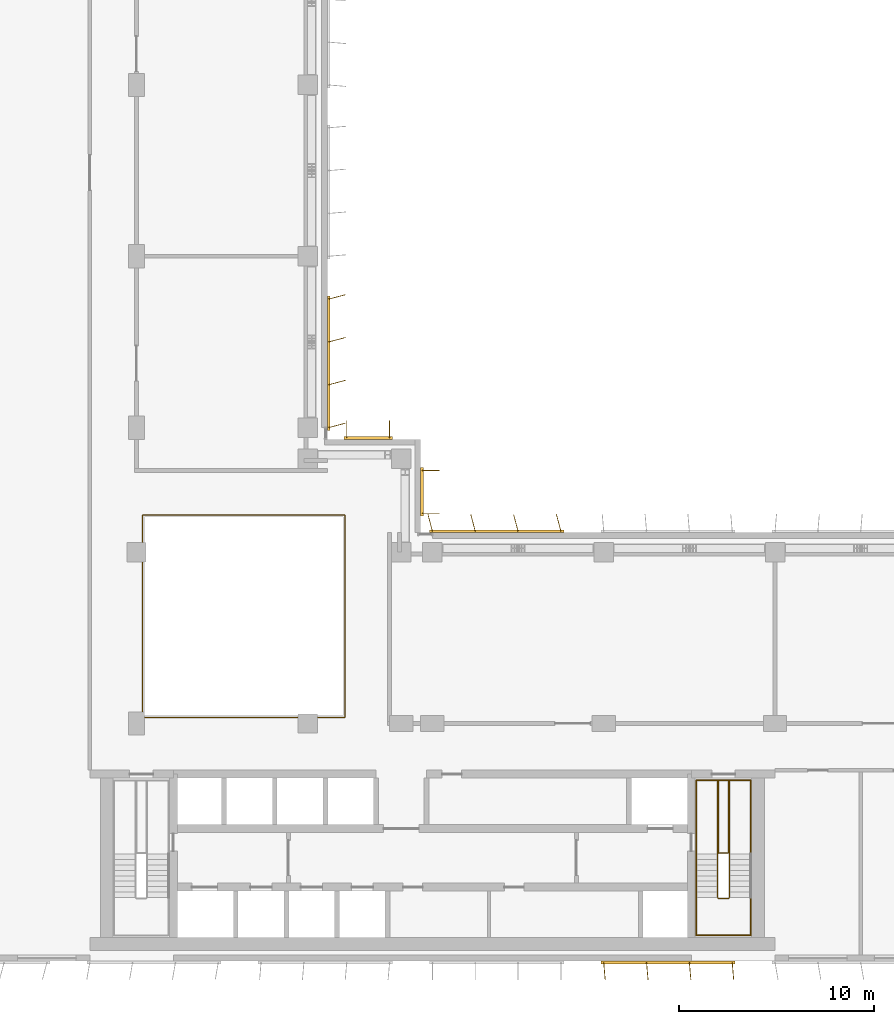
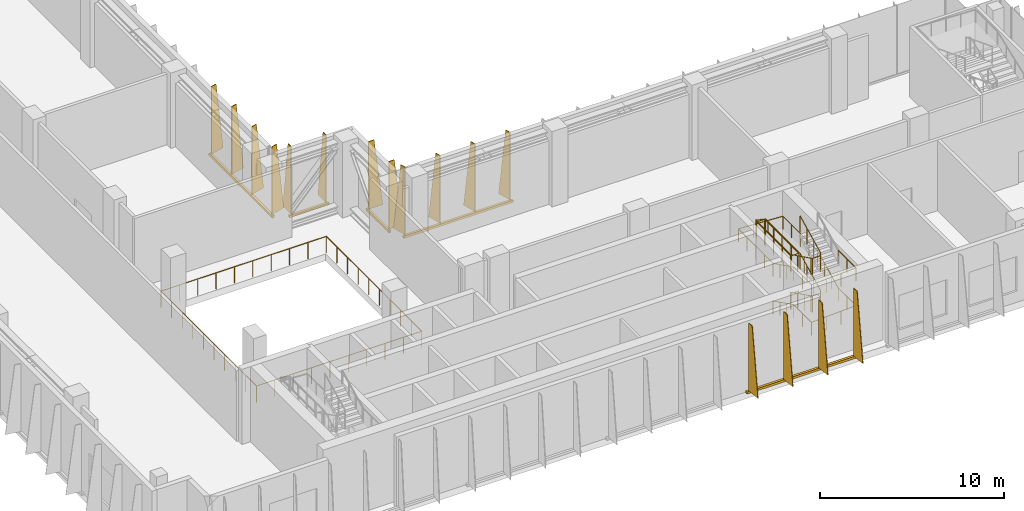
# One storey, part 15 of 17: 5 shading devices, 4 railings.
"""IFC4 building model written with IfcOpenShell, lengths in metres."""

from ifc_helpers import new_model, si_unit, direction, frame, origin, origin_2d, place, context, subcontext, project, spatial, polyline, rectangle, circle, outline, extrude, source, transform, mapped, material, layer, layer_set, type_object, element, save


model = new_model("IFC4")

# Units and contexts
model_context = context("Model", 3, precision=1e-05, world=origin(), true_north=direction((0.0, 1.0)))
body_context = subcontext(model_context, "Body", "Model", "MODEL_VIEW")
ifc_project = project(units=[si_unit("LENGTHUNIT", "METRE"), si_unit("AREAUNIT", "SQUARE_METRE"), si_unit("VOLUMEUNIT", "CUBIC_METRE"), si_unit("PLANEANGLEUNIT", "RADIAN"), si_unit("MASSUNIT", "GRAM", prefix="KILO")], contexts=[model_context])

# Site, building, storey
site_placement = place(None, origin())
site = spatial("IfcSite", under=ifc_project, at=site_placement, CompositionType="ELEMENT")
building_placement = place(site_placement, origin())
building = spatial("IfcBuilding", under=site, at=building_placement, Name="Kemantara Hotel Tower", CompositionType="ELEMENT")
storey_placement = place(building_placement, frame((0.0, 0.0, 193.800048828125)))
storey = spatial("IfcBuildingStorey", under=building, at=storey_placement, Name="L48", CompositionType="ELEMENT", Elevation=193.800048828125)

# Railings
ifc_material_1 = material(Name="Stainless steel balustrade", Category="steel")
railing_type_1 = type_object("IfcRailingType", Name="STAINLESS STEEL GUARD 1100", PredefinedType="GUARDRAIL", material=ifc_material_1)
railing_1_placement = place(storey_placement, frame((12.5, 12.5, 0.0)))
element("IfcRailing", 1, at=railing_1_placement, inside=storey, type_object=railing_type_1, Name="ATRIUM GUARD", PredefinedType="GUARDRAIL", context=body_context, shape_type="SweptSolid", body=[
    extrude(circle(Radius=0.02392578125, at=origin_2d()), frame((0.0, 0.0, 1.076171875), z_axis=(1.0, 0.0, 0.0), x_axis=(0.0, 1.0, 0.0)), (0.0, 0.0, 1.0), 10.39990234375),
    extrude(circle(Radius=0.02392578125, at=origin_2d()), frame((10.39990234375, 0.0, 1.076171875), z_axis=(0.0, 1.0, 0.0), x_axis=(-1.0, 0.0, 0.0)), (0.0, 0.0, 1.0), 10.39990234375),
    extrude(circle(Radius=0.02392578125, at=origin_2d()), frame((10.39990234375, 10.39990234375, 1.076171875), z_axis=(-1.0, 0.0, 0.0), x_axis=(0.0, -1.0, 0.0)), (0.0, 0.0, 1.0), 10.39990234375),
    extrude(circle(Radius=0.02392578125, at=origin_2d()), frame((0.0, 10.39990234375, 1.076171875), z_axis=(0.0, -1.0, 0.0), x_axis=(1.0, 0.0, 0.0)), (0.0, 0.0, 1.0), 10.39990234375),
    extrude(circle(Radius=0.02099609375, at=origin_2d()), origin(), (0.0, 0.0, 1.0), 1.052001953125),
    extrude(circle(Radius=0.02099609375, at=origin_2d()), frame((1.155517578125, 0.0, 0.0)), (0.0, 0.0, 1.0), 1.052001953125),
    extrude(circle(Radius=0.02099609375, at=origin_2d()), frame((2.31103515625, 0.0, 0.0)), (0.0, 0.0, 1.0), 1.052001953125),
    extrude(circle(Radius=0.02099609375, at=origin_2d()), frame((3.466552734375, 0.0, 0.0)), (0.0, 0.0, 1.0), 1.052001953125),
    extrude(circle(Radius=0.02099609375, at=origin_2d()), frame((4.6220703125, 0.0, 0.0)), (0.0, 0.0, 1.0), 1.052001953125),
    extrude(circle(Radius=0.02099609375, at=origin_2d()), frame((5.77783203125, 0.0, 0.0)), (0.0, 0.0, 1.0), 1.052001953125),
    extrude(circle(Radius=0.02099609375, at=origin_2d()), frame((6.933349609375, 0.0, 0.0)), (0.0, 0.0, 1.0), 1.052001953125),
    extrude(circle(Radius=0.02099609375, at=origin_2d()), frame((8.0888671875, 0.0, 0.0)), (0.0, 0.0, 1.0), 1.052001953125),
    extrude(circle(Radius=0.02099609375, at=origin_2d()), frame((9.244384765625, 0.0, 0.0)), (0.0, 0.0, 1.0), 1.052001953125),
    extrude(circle(Radius=0.02099609375, at=origin_2d()), frame((10.39990234375, 0.0, 0.0)), (0.0, 0.0, 1.0), 1.052001953125),
    extrude(circle(Radius=0.02099609375, at=origin_2d()), frame((10.39990234375, 1.155517578125, 0.0)), (0.0, 0.0, 1.0), 1.052001953125),
    extrude(circle(Radius=0.02099609375, at=origin_2d()), frame((10.39990234375, 2.31103515625, 0.0)), (0.0, 0.0, 1.0), 1.052001953125),
    extrude(circle(Radius=0.02099609375, at=origin_2d()), frame((10.39990234375, 3.466552734375, 0.0)), (0.0, 0.0, 1.0), 1.052001953125),
    extrude(circle(Radius=0.02099609375, at=origin_2d()), frame((10.39990234375, 4.6220703125, 0.0)), (0.0, 0.0, 1.0), 1.052001953125),
    extrude(circle(Radius=0.02099609375, at=origin_2d()), frame((10.39990234375, 5.77783203125, 0.0)), (0.0, 0.0, 1.0), 1.052001953125),
    extrude(circle(Radius=0.02099609375, at=origin_2d()), frame((10.39990234375, 6.933349609375, 0.0)), (0.0, 0.0, 1.0), 1.052001953125),
    extrude(circle(Radius=0.02099609375, at=origin_2d()), frame((10.39990234375, 8.0888671875, 0.0)), (0.0, 0.0, 1.0), 1.052001953125),
    extrude(circle(Radius=0.02099609375, at=origin_2d()), frame((10.39990234375, 9.244384765625, 0.0)), (0.0, 0.0, 1.0), 1.052001953125),
    extrude(circle(Radius=0.02099609375, at=origin_2d()), frame((10.39990234375, 10.39990234375, 0.0)), (0.0, 0.0, 1.0), 1.052001953125),
    extrude(circle(Radius=0.02099609375, at=origin_2d()), frame((9.244384765625, 10.39990234375, 0.0)), (0.0, 0.0, 1.0), 1.052001953125),
    extrude(circle(Radius=0.02099609375, at=origin_2d()), frame((8.0888671875, 10.39990234375, 0.0)), (0.0, 0.0, 1.0), 1.052001953125),
    extrude(circle(Radius=0.02099609375, at=origin_2d()), frame((6.933349609375, 10.39990234375, 0.0)), (0.0, 0.0, 1.0), 1.052001953125),
    extrude(circle(Radius=0.02099609375, at=origin_2d()), frame((5.77783203125, 10.39990234375, 0.0)), (0.0, 0.0, 1.0), 1.052001953125),
    extrude(circle(Radius=0.02099609375, at=origin_2d()), frame((4.6220703125, 10.39990234375, 0.0)), (0.0, 0.0, 1.0), 1.052001953125),
    extrude(circle(Radius=0.02099609375, at=origin_2d()), frame((3.466552734375, 10.39990234375, 0.0)), (0.0, 0.0, 1.0), 1.052001953125),
    extrude(circle(Radius=0.02099609375, at=origin_2d()), frame((2.31103515625, 10.39990234375, 0.0)), (0.0, 0.0, 1.0), 1.052001953125),
    extrude(circle(Radius=0.02099609375, at=origin_2d()), frame((1.155517578125, 10.39990234375, 0.0)), (0.0, 0.0, 1.0), 1.052001953125),
    extrude(circle(Radius=0.02099609375, at=origin_2d()), frame((0.0, 10.39990234375, 0.0)), (0.0, 0.0, 1.0), 1.052001953125),
    extrude(circle(Radius=0.02099609375, at=origin_2d()), frame((0.0, 9.244384765625, 0.0)), (0.0, 0.0, 1.0), 1.052001953125),
    extrude(circle(Radius=0.02099609375, at=origin_2d()), frame((0.0, 8.0888671875, 0.0)), (0.0, 0.0, 1.0), 1.052001953125),
    extrude(circle(Radius=0.02099609375, at=origin_2d()), frame((0.0, 6.933349609375, 0.0)), (0.0, 0.0, 1.0), 1.052001953125),
    extrude(circle(Radius=0.02099609375, at=origin_2d()), frame((0.0, 5.77783203125, 0.0)), (0.0, 0.0, 1.0), 1.052001953125),
    extrude(circle(Radius=0.02099609375, at=origin_2d()), frame((0.0, 4.6220703125, 0.0)), (0.0, 0.0, 1.0), 1.052001953125),
    extrude(circle(Radius=0.02099609375, at=origin_2d()), frame((0.0, 3.466552734375, 0.0)), (0.0, 0.0, 1.0), 1.052001953125),
    extrude(circle(Radius=0.02099609375, at=origin_2d()), frame((0.0, 2.31103515625, 0.0)), (0.0, 0.0, 1.0), 1.052001953125),
    extrude(circle(Radius=0.02099609375, at=origin_2d()), frame((0.0, 1.155517578125, 0.0)), (0.0, 0.0, 1.0), 1.052001953125),
])
railing_type_2 = type_object("IfcRailingType", Name="Stair guard 1100 mm", PredefinedType="GUARDRAIL", material=ifc_material_1)
railing_2_placement = place(storey_placement, frame((42.64990234375, 5.5, 5.0)))
element("IfcRailing", 2, at=railing_2_placement, inside=storey, type_object=railing_type_2, Name="L48 ST2 stair guard 1", PredefinedType="GUARDRAIL", context=body_context, shape_type="SweptSolid", body=[
    extrude(circle(Radius=0.02392578125, at=origin_2d()), frame((0.0, 0.0, 1.076171875), z_axis=(0.0, -0.895848192791, -0.444360231651), x_axis=(1.0, 0.0, 0.0)), (0.0, 0.0, 1.0), 2.50048828125),
    extrude(circle(Radius=0.02392578125, at=origin_2d()), frame((0.0, -2.239990234375, -0.03515625), z_axis=(-0.319608697381, -0.321175406682, -0.891457592206), x_axis=(0.708833529934, -0.705375805398, 0.0)), (0.0, 0.0, 1.0), 0.15576171875),
    extrude(circle(Radius=0.02392578125, at=origin_2d()), frame((-0.0498046875, -2.2900390625, -0.173828125), z_axis=(-1.0, 0.0, 0.0), x_axis=(0.0, -1.0, 0.0)), (0.0, 0.0, 1.0), 0.5),
    extrude(circle(Radius=0.02392578125, at=origin_2d()), frame((-0.5498046875, -2.2900390625, -0.173828125), z_axis=(-0.707106781187, 0.707106781187, 0.0), x_axis=(-0.707106781187, -0.707106781187, 0.0)), (0.0, 0.0, 1.0), 0.07080078125),
    extrude(circle(Radius=0.02392578125, at=origin_2d()), frame((-0.599853515625, -2.239990234375, -0.173828125), z_axis=(0.0, 0.895848192791, -0.444360231651), x_axis=(-1.0, 0.0, 0.0)), (0.0, 0.0, 1.0), 2.50048828125),
    extrude(circle(Radius=0.02392578125, at=origin_2d()), frame((-0.599853515625, 0.0, -1.28515625), z_axis=(0.0, 1.0, 0.0), x_axis=(-1.0, 0.0, 0.0)), (0.0, 0.0, 1.0), 3.780029296875),
    extrude(circle(Radius=0.02392578125, at=origin_2d()), frame((-0.599853515625, 3.780029296875, -1.28515625), z_axis=(0.969557479204, 0.0, -0.244863828525), x_axis=(0.0, 1.0, 0.0)), (0.0, 0.0, 1.0), 0.5673828125),
    extrude(circle(Radius=0.02392578125, at=origin_2d()), frame((-0.0498046875, 3.780029296875, -1.423828125), z_axis=(0.0, -1.0, 0.0), x_axis=(1.0, 0.0, 0.0)), (0.0, 0.0, 1.0), 3.72998046875),
    extrude(circle(Radius=0.02392578125, at=origin_2d()), frame((-0.0498046875, 0.050048828125, -1.423828125), z_axis=(-1.0, 0.0, 0.0), x_axis=(0.0, -1.0, 0.0)), (0.0, 0.0, 1.0), 0.5),
    extrude(circle(Radius=0.02392578125, at=origin_2d()), frame((-0.5498046875, 0.050048828125, -1.423828125), z_axis=(0.0, 1.0, 0.0), x_axis=(-1.0, 0.0, 0.0)), (0.0, 0.0, 1.0), 3.72998046875),
    extrude(circle(Radius=0.02392578125, at=origin_2d()), frame((-0.5498046875, 3.780029296875, -1.423828125), z_axis=(1.0, 0.0, 0.0), x_axis=(0.0, 1.0, 0.0)), (0.0, 0.0, 1.0), 0.5498046875),
    extrude(circle(Radius=0.02392578125, at=origin_2d()), frame((0.0, 3.780029296875, -1.423828125), z_axis=(0.0, -1.0, 0.0), x_axis=(1.0, 0.0, 0.0)), (0.0, 0.0, 1.0), 3.780029296875),
    extrude(circle(Radius=0.02392578125, at=origin_2d()), frame((0.0, 0.0, -1.423828125), z_axis=(0.0, -0.895848192791, -0.444360231651), x_axis=(1.0, 0.0, 0.0)), (0.0, 0.0, 1.0), 2.50048828125),
    extrude(circle(Radius=0.02392578125, at=origin_2d()), frame((0.0, -2.239990234375, -2.53515625), z_axis=(-0.319608697381, -0.321175406682, -0.891457592206), x_axis=(0.708833529934, -0.705375805398, 0.0)), (0.0, 0.0, 1.0), 0.15576171875),
    extrude(circle(Radius=0.02392578125, at=origin_2d()), frame((-0.0498046875, -2.2900390625, -2.673828125), z_axis=(-1.0, 0.0, 0.0), x_axis=(0.0, -1.0, 0.0)), (0.0, 0.0, 1.0), 0.5),
    extrude(circle(Radius=0.02392578125, at=origin_2d()), frame((-0.5498046875, -2.2900390625, -2.673828125), z_axis=(-0.707106781187, 0.707106781187, 0.0), x_axis=(-0.707106781187, -0.707106781187, 0.0)), (0.0, 0.0, 1.0), 0.07080078125),
    extrude(circle(Radius=0.02392578125, at=origin_2d()), frame((-0.599853515625, -2.239990234375, -2.673828125), z_axis=(0.0, 0.895848192791, -0.444360231651), x_axis=(-1.0, 0.0, 0.0)), (0.0, 0.0, 1.0), 2.50048828125),
    extrude(circle(Radius=0.02392578125, at=origin_2d()), frame((-0.599853515625, 0.0, -3.78515625), z_axis=(0.321014310373, 0.321014310373, -0.891010451718), x_axis=(-0.707106781187, 0.707106781187, 0.0)), (0.0, 0.0, 1.0), 0.156005859375),
    extrude(circle(Radius=0.02392578125, at=origin_2d()), frame((-0.5498046875, 0.050048828125, -3.923828125), z_axis=(1.0, 0.0, 0.0), x_axis=(0.0, 1.0, 0.0)), (0.0, 0.0, 1.0), 0.5),
    extrude(circle(Radius=0.02099609375, at=origin_2d()), origin(), (0.0, 0.0, 1.0), 1.052001953125),
    extrude(circle(Radius=0.02099609375, at=origin_2d()), frame((0.0, -0.74658203125, -0.370361328125)), (0.0, 0.0, 1.0), 1.052001953125),
    extrude(circle(Radius=0.02099609375, at=origin_2d()), frame((0.0, -1.493408203125, -0.74072265625)), (0.0, 0.0, 1.0), 1.052001953125),
    extrude(circle(Radius=0.02099609375, at=origin_2d()), frame((0.0, -2.239990234375, -1.111083984375)), (0.0, 0.0, 1.0), 1.052001953125),
    extrude(circle(Radius=0.02099609375, at=origin_2d()), frame((-0.0498046875, -2.2900390625, -1.25)), (0.0, 0.0, 1.0), 1.052001953125),
    extrude(circle(Radius=0.02099609375, at=origin_2d()), frame((-0.5498046875, -2.2900390625, -1.25)), (0.0, 0.0, 1.0), 1.052001953125),
    extrude(circle(Radius=0.02099609375, at=origin_2d()), frame((-0.599853515625, -2.239990234375, -1.25)), (0.0, 0.0, 1.0), 1.052001953125),
    extrude(circle(Radius=0.02099609375, at=origin_2d()), frame((-0.599853515625, -1.493408203125, -1.620361328125)), (0.0, 0.0, 1.0), 1.052001953125),
    extrude(circle(Radius=0.02099609375, at=origin_2d()), frame((-0.599853515625, -0.74658203125, -1.99072265625)), (0.0, 0.0, 1.0), 1.052001953125),
    extrude(circle(Radius=0.02099609375, at=origin_2d()), frame((-0.599853515625, 0.0, -2.361083984375)), (0.0, 0.0, 1.0), 1.052001953125),
    extrude(circle(Radius=0.02099609375, at=origin_2d()), frame((-0.599853515625, 0.945068359375, -2.361083984375)), (0.0, 0.0, 1.0), 1.052001953125),
    extrude(circle(Radius=0.02099609375, at=origin_2d()), frame((-0.599853515625, 1.89013671875, -2.361083984375)), (0.0, 0.0, 1.0), 1.052001953125),
    extrude(circle(Radius=0.02099609375, at=origin_2d()), frame((-0.599853515625, 2.8349609375, -2.361083984375)), (0.0, 0.0, 1.0), 1.052001953125),
    extrude(circle(Radius=0.02099609375, at=origin_2d()), frame((-0.599853515625, 3.780029296875, -2.361083984375)), (0.0, 0.0, 1.0), 1.052001953125),
    extrude(circle(Radius=0.02099609375, at=origin_2d()), frame((-0.0498046875, 3.780029296875, -2.5)), (0.0, 0.0, 1.0), 1.052001953125),
    extrude(circle(Radius=0.02099609375, at=origin_2d()), frame((-0.0498046875, 2.84765625, -2.5)), (0.0, 0.0, 1.0), 1.052001953125),
    extrude(circle(Radius=0.02099609375, at=origin_2d()), frame((-0.0498046875, 1.9150390625, -2.5)), (0.0, 0.0, 1.0), 1.052001953125),
    extrude(circle(Radius=0.02099609375, at=origin_2d()), frame((-0.0498046875, 0.982421875, -2.5)), (0.0, 0.0, 1.0), 1.052001953125),
    extrude(circle(Radius=0.02099609375, at=origin_2d()), frame((-0.0498046875, 0.050048828125, -2.5)), (0.0, 0.0, 1.0), 1.052001953125),
    extrude(circle(Radius=0.02099609375, at=origin_2d()), frame((-0.5498046875, 0.050048828125, -2.5)), (0.0, 0.0, 1.0), 1.052001953125),
    extrude(circle(Radius=0.02099609375, at=origin_2d()), frame((-0.5498046875, 0.982421875, -2.5)), (0.0, 0.0, 1.0), 1.052001953125),
    extrude(circle(Radius=0.02099609375, at=origin_2d()), frame((-0.5498046875, 1.9150390625, -2.5)), (0.0, 0.0, 1.0), 1.052001953125),
    extrude(circle(Radius=0.02099609375, at=origin_2d()), frame((-0.5498046875, 2.84765625, -2.5)), (0.0, 0.0, 1.0), 1.052001953125),
    extrude(circle(Radius=0.02099609375, at=origin_2d()), frame((-0.5498046875, 3.780029296875, -2.5)), (0.0, 0.0, 1.0), 1.052001953125),
    extrude(circle(Radius=0.02099609375, at=origin_2d()), frame((0.0, 3.780029296875, -2.5)), (0.0, 0.0, 1.0), 1.052001953125),
    extrude(circle(Radius=0.02099609375, at=origin_2d()), frame((0.0, 2.8349609375, -2.5)), (0.0, 0.0, 1.0), 1.052001953125),
    extrude(circle(Radius=0.02099609375, at=origin_2d()), frame((0.0, 1.89013671875, -2.5)), (0.0, 0.0, 1.0), 1.052001953125),
    extrude(circle(Radius=0.02099609375, at=origin_2d()), frame((0.0, 0.945068359375, -2.5)), (0.0, 0.0, 1.0), 1.052001953125),
    extrude(circle(Radius=0.02099609375, at=origin_2d()), frame((0.0, 0.0, -2.5)), (0.0, 0.0, 1.0), 1.052001953125),
    extrude(circle(Radius=0.02099609375, at=origin_2d()), frame((0.0, -0.74658203125, -2.870361328125)), (0.0, 0.0, 1.0), 1.052001953125),
    extrude(circle(Radius=0.02099609375, at=origin_2d()), frame((0.0, -1.493408203125, -3.24072265625)), (0.0, 0.0, 1.0), 1.052001953125),
    extrude(circle(Radius=0.02099609375, at=origin_2d()), frame((0.0, -2.239990234375, -3.611083984375)), (0.0, 0.0, 1.0), 1.052001953125),
    extrude(circle(Radius=0.02099609375, at=origin_2d()), frame((-0.0498046875, -2.2900390625, -3.75)), (0.0, 0.0, 1.0), 1.052001953125),
    extrude(circle(Radius=0.02099609375, at=origin_2d()), frame((-0.5498046875, -2.2900390625, -3.75)), (0.0, 0.0, 1.0), 1.052001953125),
    extrude(circle(Radius=0.02099609375, at=origin_2d()), frame((-0.599853515625, -2.239990234375, -3.75)), (0.0, 0.0, 1.0), 1.052001953125),
    extrude(circle(Radius=0.02099609375, at=origin_2d()), frame((-0.599853515625, -1.493408203125, -4.120361328125)), (0.0, 0.0, 1.0), 1.052001953125),
    extrude(circle(Radius=0.02099609375, at=origin_2d()), frame((-0.599853515625, -0.74658203125, -4.49072265625)), (0.0, 0.0, 1.0), 1.052001953125),
    extrude(circle(Radius=0.02099609375, at=origin_2d()), frame((-0.599853515625, 0.0, -4.861083984375)), (0.0, 0.0, 1.0), 1.052001953125),
    extrude(circle(Radius=0.02099609375, at=origin_2d()), frame((-0.5498046875, 0.050048828125, -5.0)), (0.0, 0.0, 1.0), 1.052001953125),
    extrude(circle(Radius=0.02099609375, at=origin_2d()), frame((-0.0498046875, 0.050048828125, -5.0)), (0.0, 0.0, 1.0), 1.052001953125),
])
railing_type_3 = type_object("IfcRailingType", Name="Stair handrail 900 mm", PredefinedType="HANDRAIL", material=ifc_material_1)
railing_3_placement = place(storey_placement, frame((40.949951171875, 5.5, 0.138916015625)))
element("IfcRailing", 3, at=railing_3_placement, inside=storey, type_object=railing_type_3, Name="L48 ST2 stair handrail 1", PredefinedType="HANDRAIL", context=body_context, shape_type="SweptSolid", body=[
    extrude(circle(Radius=0.02392578125, at=origin_2d()), frame((0.0, 0.0, 0.8759765625), z_axis=(0.0, -0.895848192791, 0.444360231651), x_axis=(1.0, 0.0, 0.0)), (0.0, 0.0, 1.0), 2.50048828125),
    extrude(circle(Radius=0.02392578125, at=origin_2d()), frame((0.0, -2.239990234375, 1.98681640625), z_axis=(0.0, -1.0, 0.0), x_axis=(1.0, 0.0, 0.0)), (0.0, 0.0, 1.0), 1.93994140625),
    extrude(circle(Radius=0.02392578125, at=origin_2d()), frame((0.0, -4.179931640625, 1.98681640625), z_axis=(0.998771592041, 0.0, 0.049551053786), x_axis=(0.0, 1.0, 0.0)), (0.0, 0.0, 1.0), 2.803466796875),
    extrude(circle(Radius=0.02392578125, at=origin_2d()), frame((2.800048828125, -4.179931640625, 2.1259765625), z_axis=(0.0, 1.0, 0.0), x_axis=(-1.0, 0.0, 0.0)), (0.0, 0.0, 1.0), 1.93994140625),
    extrude(circle(Radius=0.02392578125, at=origin_2d()), frame((2.800048828125, -2.239990234375, 2.1259765625), z_axis=(0.0, 0.895848192791, 0.444360231651), x_axis=(-1.0, 0.0, 0.0)), (0.0, 0.0, 1.0), 2.50048828125),
    extrude(circle(Radius=0.02392578125, at=origin_2d()), frame((2.800048828125, 0.0, 3.23681640625), z_axis=(0.0, 1.0, 0.0), x_axis=(-1.0, 0.0, 0.0)), (0.0, 0.0, 1.0), 3.780029296875),
    extrude(circle(Radius=0.02099609375, at=origin_2d()), origin(), (0.0, 0.0, 1.0), 0.851806640625),
    extrude(circle(Radius=0.02099609375, at=origin_2d()), frame((0.0, -0.74658203125, 0.370361328125)), (0.0, 0.0, 1.0), 0.851806640625),
    extrude(circle(Radius=0.02099609375, at=origin_2d()), frame((0.0, -1.493408203125, 0.74072265625)), (0.0, 0.0, 1.0), 0.851806640625),
    extrude(circle(Radius=0.02099609375, at=origin_2d()), frame((0.0, -2.239990234375, 1.111083984375)), (0.0, 0.0, 1.0), 0.851806640625),
    extrude(circle(Radius=0.02099609375, at=origin_2d()), frame((0.0, -3.2099609375, 1.111083984375)), (0.0, 0.0, 1.0), 0.851806640625),
    extrude(circle(Radius=0.02099609375, at=origin_2d()), frame((0.0, -4.179931640625, 1.111083984375)), (0.0, 0.0, 1.0), 0.851806640625),
    extrude(circle(Radius=0.02099609375, at=origin_2d()), frame((0.933349609375, -4.179931640625, 1.157470703125)), (0.0, 0.0, 1.0), 0.851806640625),
    extrude(circle(Radius=0.02099609375, at=origin_2d()), frame((1.86669921875, -4.179931640625, 1.20361328125)), (0.0, 0.0, 1.0), 0.851806640625),
    extrude(circle(Radius=0.02099609375, at=origin_2d()), frame((2.800048828125, -4.179931640625, 1.25)), (0.0, 0.0, 1.0), 0.851806640625),
    extrude(circle(Radius=0.02099609375, at=origin_2d()), frame((2.800048828125, -3.2099609375, 1.25)), (0.0, 0.0, 1.0), 0.851806640625),
    extrude(circle(Radius=0.02099609375, at=origin_2d()), frame((2.800048828125, -2.239990234375, 1.25)), (0.0, 0.0, 1.0), 0.851806640625),
    extrude(circle(Radius=0.02099609375, at=origin_2d()), frame((2.800048828125, -1.493408203125, 1.620361328125)), (0.0, 0.0, 1.0), 0.851806640625),
    extrude(circle(Radius=0.02099609375, at=origin_2d()), frame((2.800048828125, -0.74658203125, 1.99072265625)), (0.0, 0.0, 1.0), 0.851806640625),
    extrude(circle(Radius=0.02099609375, at=origin_2d()), frame((2.800048828125, 0.0, 2.361083984375)), (0.0, 0.0, 1.0), 0.851806640625),
    extrude(circle(Radius=0.02099609375, at=origin_2d()), frame((2.800048828125, 0.945068359375, 2.361083984375)), (0.0, 0.0, 1.0), 0.851806640625),
    extrude(circle(Radius=0.02099609375, at=origin_2d()), frame((2.800048828125, 1.89013671875, 2.361083984375)), (0.0, 0.0, 1.0), 0.851806640625),
    extrude(circle(Radius=0.02099609375, at=origin_2d()), frame((2.800048828125, 2.8349609375, 2.361083984375)), (0.0, 0.0, 1.0), 0.851806640625),
    extrude(circle(Radius=0.02099609375, at=origin_2d()), frame((2.800048828125, 3.780029296875, 2.361083984375)), (0.0, 0.0, 1.0), 0.851806640625),
])
railing_4_placement = place(storey_placement, frame((43.75, 9.280029296875, 2.5)))
element("IfcRailing", 4, at=railing_4_placement, inside=storey, type_object=railing_type_3, Name="L48 ST2 stair handrail 2", PredefinedType="HANDRAIL", context=body_context, shape_type="SweptSolid", body=[
    extrude(circle(Radius=0.02392578125, at=origin_2d()), frame((0.0, 0.0, 0.8759765625), z_axis=(-0.998771592041, 0.0, 0.049551053786), x_axis=(0.0, -1.0, 0.0)), (0.0, 0.0, 1.0), 2.803466796875),
    extrude(circle(Radius=0.02392578125, at=origin_2d()), frame((-2.800048828125, 0.0, 1.0146484375), z_axis=(0.0, -1.0, 0.0), x_axis=(1.0, 0.0, 0.0)), (0.0, 0.0, 1.0), 3.780029296875),
    extrude(circle(Radius=0.02392578125, at=origin_2d()), frame((-2.800048828125, -3.780029296875, 1.0146484375), z_axis=(0.0, -0.895848192791, 0.444360231651), x_axis=(1.0, 0.0, 0.0)), (0.0, 0.0, 1.0), 2.50048828125),
    extrude(circle(Radius=0.02392578125, at=origin_2d()), frame((-2.800048828125, -6.02001953125, 2.1259765625), z_axis=(0.0, -1.0, 0.0), x_axis=(1.0, 0.0, 0.0)), (0.0, 0.0, 1.0), 1.93994140625),
    extrude(circle(Radius=0.02392578125, at=origin_2d()), frame((-2.800048828125, -7.9599609375, 2.1259765625), z_axis=(0.998771592041, 0.0, 0.049551053786), x_axis=(0.0, 1.0, 0.0)), (0.0, 0.0, 1.0), 2.803466796875),
    extrude(circle(Radius=0.02392578125, at=origin_2d()), frame((0.0, -7.9599609375, 2.2646484375), z_axis=(0.0, 1.0, 0.0), x_axis=(-1.0, 0.0, 0.0)), (0.0, 0.0, 1.0), 1.93994140625),
    extrude(circle(Radius=0.02099609375, at=origin_2d()), origin(), (0.0, 0.0, 1.0), 0.851806640625),
    extrude(circle(Radius=0.02099609375, at=origin_2d()), frame((-0.933349609375, 0.0, 0.04638671875)), (0.0, 0.0, 1.0), 0.851806640625),
    extrude(circle(Radius=0.02099609375, at=origin_2d()), frame((-1.86669921875, 0.0, 0.092529296875)), (0.0, 0.0, 1.0), 0.851806640625),
    extrude(circle(Radius=0.02099609375, at=origin_2d()), frame((-2.800048828125, 0.0, 0.138916015625)), (0.0, 0.0, 1.0), 0.851806640625),
    extrude(circle(Radius=0.02099609375, at=origin_2d()), frame((-2.800048828125, -0.945068359375, 0.138916015625)), (0.0, 0.0, 1.0), 0.851806640625),
    extrude(circle(Radius=0.02099609375, at=origin_2d()), frame((-2.800048828125, -1.89013671875, 0.138916015625)), (0.0, 0.0, 1.0), 0.851806640625),
    extrude(circle(Radius=0.02099609375, at=origin_2d()), frame((-2.800048828125, -2.8349609375, 0.138916015625)), (0.0, 0.0, 1.0), 0.851806640625),
    extrude(circle(Radius=0.02099609375, at=origin_2d()), frame((-2.800048828125, -3.780029296875, 0.138916015625)), (0.0, 0.0, 1.0), 0.851806640625),
    extrude(circle(Radius=0.02099609375, at=origin_2d()), frame((-2.800048828125, -4.526611328125, 0.50927734375)), (0.0, 0.0, 1.0), 0.851806640625),
    extrude(circle(Radius=0.02099609375, at=origin_2d()), frame((-2.800048828125, -5.2734375, 0.879638671875)), (0.0, 0.0, 1.0), 0.851806640625),
    extrude(circle(Radius=0.02099609375, at=origin_2d()), frame((-2.800048828125, -6.02001953125, 1.25)), (0.0, 0.0, 1.0), 0.851806640625),
    extrude(circle(Radius=0.02099609375, at=origin_2d()), frame((-2.800048828125, -6.989990234375, 1.25)), (0.0, 0.0, 1.0), 0.851806640625),
    extrude(circle(Radius=0.02099609375, at=origin_2d()), frame((-2.800048828125, -7.9599609375, 1.25)), (0.0, 0.0, 1.0), 0.851806640625),
    extrude(circle(Radius=0.02099609375, at=origin_2d()), frame((-1.86669921875, -7.9599609375, 1.29638671875)), (0.0, 0.0, 1.0), 0.851806640625),
    extrude(circle(Radius=0.02099609375, at=origin_2d()), frame((-0.933349609375, -7.9599609375, 1.342529296875)), (0.0, 0.0, 1.0), 0.851806640625),
    extrude(circle(Radius=0.02099609375, at=origin_2d()), frame((0.0, -7.9599609375, 1.388916015625)), (0.0, 0.0, 1.0), 0.851806640625),
    extrude(circle(Radius=0.02099609375, at=origin_2d()), frame((0.0, -6.989990234375, 1.388916015625)), (0.0, 0.0, 1.0), 0.851806640625),
    extrude(circle(Radius=0.02099609375, at=origin_2d()), frame((0.0, -6.02001953125, 1.388916015625)), (0.0, 0.0, 1.0), 0.851806640625),
])

# Shading devices
ifc_material_2 = material(Name="Perforated aluminium plate 4 mm bronze anodised", Category="aluminium")
ifc_layer_1 = layer(ifc_material_2, 0.0400390625)
ifc_layer_set_1 = layer_set([ifc_layer_1], Name="Perforated aluminium plate 4 mm bronze anodised")
shading_device_type_1 = type_object("IfcShadingDeviceType", Name="SCREEN FIN CASSETTE, 4 BLADES AT +5.0 DEG, 4500 HIGH", PredefinedType="USERDEFINED", material=ifc_layer_set_1)
shared_shape_1 = source(origin(), body_context, "Body", "SweptSolid", [
    extrude(rectangle(XDim=6.89990234375, YDim=0.14990234375, at=origin_2d()), frame((3.300048828125, -0.074951171875, -0.14990234375), z_axis=(0.0, 0.0, 1.0), x_axis=(1.0, 0.0, 0.0)), (0.0, 0.0, 1.0), 0.14990234375),
    extrude(outline(polyline([(0.0, 0.0), (0.89990234375, 0.0), (0.35009765625, 4.5), (0.0, 4.5), (0.0, 0.0)])), frame((0.02001953125, -0.0732421875, 0.0), z_axis=(-0.996376129781, -0.085056498884, 0.0), x_axis=(0.085056498884, -0.996376129781, 0.0)), (0.0, 0.0, 1.0), 0.040283203125),
    extrude(outline(polyline([(0.0, 0.0), (0.89990234375, 0.0), (0.35009765625, 4.5), (0.0, 4.5), (0.0, 0.0)])), frame((2.219970703125, -0.0732421875, 0.0), z_axis=(-0.996331773833, -0.085574508182, 0.0), x_axis=(0.085574508182, -0.996331773833, 0.0)), (0.0, 0.0, 1.0), 0.0400390625),
    extrude(outline(polyline([(0.0, 0.0), (0.89990234375, 0.0), (0.35009765625, 4.5), (0.0, 4.5), (0.0, 0.0)])), frame((4.419921875, -0.0732421875, 0.0), z_axis=(-0.996331773833, -0.085574508182, 0.0), x_axis=(0.085574508182, -0.996331773833, 0.0)), (0.0, 0.0, 1.0), 0.0400390625),
    extrude(outline(polyline([(0.0, 0.0), (0.89990234375, 0.0), (0.35009765625, 4.5), (0.0, 4.5), (0.0, 0.0)])), frame((6.619873046875, -0.0732421875, 0.0), z_axis=(-0.996331773833, -0.085574508182, 0.0), x_axis=(0.085574508182, -0.996331773833, 0.0)), (0.0, 0.0, 1.0), 0.0400390625),
])
shading_device_placement = place(storey_placement, frame((36.199951171875, 0.0, 0.099853515625), z_axis=(0.0, 0.0, 1.0), x_axis=(1.0, 0.0, 0.0)))
element("IfcShadingDevice", 5, at=shading_device_placement, inside=storey, type_object=shading_device_type_1, Name="SCREEN FIN CASSETTE L48 T3-R08-5", ObjectType="SCREEN FIN", PredefinedType="USERDEFINED", context=body_context, shape_type="MappedRepresentation", body=[
    mapped(shared_shape_1, transform((0.0, 0.0, 0.0))),
])
ifc_layer_2 = layer(ifc_material_2, 0.0400390625)
ifc_layer_set_2 = layer_set([ifc_layer_2], Name="Perforated aluminium plate 4 mm bronze anodised")
shading_device_type_2 = type_object("IfcShadingDeviceType", Name="SCREEN FIN CASSETTE, 4 BLADES AT +15.0 DEG, 4500 HIGH", PredefinedType="USERDEFINED", material=ifc_layer_set_2)
shared_shape_2 = source(origin(), body_context, "Body", "SweptSolid", [
    extrude(rectangle(XDim=6.89990234375, YDim=0.14990234375, at=origin_2d()), frame((3.300048828125, -0.074951171875, -0.14990234375), z_axis=(0.0, 0.0, 1.0), x_axis=(1.0, 0.0, 0.0)), (0.0, 0.0, 1.0), 0.14990234375),
    extrude(outline(polyline([(0.0, 0.0), (0.89990234375, 0.0), (0.35009765625, 4.5), (0.0, 4.5), (0.0, 0.0)])), frame((0.019287109375, -0.06982421875, 0.0), z_axis=(-0.966437683387, -0.256901156343, 0.0), x_axis=(0.256901156343, -0.966437683387, 0.0)), (0.0, 0.0, 1.0), 0.039794921875),
    extrude(outline(polyline([(0.0, 0.0), (0.89990234375, 0.0), (0.35009765625, 4.5), (0.0, 4.5), (0.0, 0.0)])), frame((2.21923828125, -0.06982421875, 0.0), z_axis=(-0.966437683387, -0.256901156343, 0.0), x_axis=(0.256901156343, -0.966437683387, 0.0)), (0.0, 0.0, 1.0), 0.039794921875),
    extrude(outline(polyline([(0.0, 0.0), (0.89990234375, 0.0), (0.35009765625, 4.5), (0.0, 4.5), (0.0, 0.0)])), frame((4.41943359375, -0.06982421875, 0.0), z_axis=(-0.966837822169, -0.255391122837, 0.0), x_axis=(0.255391122837, -0.966837822169, 0.0)), (0.0, 0.0, 1.0), 0.0400390625),
    extrude(outline(polyline([(0.0, 0.0), (0.89990234375, 0.0), (0.35009765625, 4.5), (0.0, 4.5), (0.0, 0.0)])), frame((6.619384765625, -0.06982421875, 0.0), z_axis=(-0.966837822169, -0.255391122837, 0.0), x_axis=(0.255391122837, -0.966837822169, 0.0)), (0.0, 0.0, 1.0), 0.0400390625),
])
for number, where, z_axis, x_axis, name in (
    (6, (34.0, 22.0, 0.099853515625), (0.0, 0.0, 1.0), (-1.0, 0.0, 0.0), "SCREEN FIN CASSETTE L48 T3-R14-4"),
    (7, (22.0, 27.39990234375, 0.099853515625), (0.0, 0.0, 1.0), (0.0, 1.0, 0.0), "SCREEN FIN CASSETTE L48 T3-R17-1"),
):
    element("IfcShadingDevice", number, at=place(storey_placement, frame(where, z_axis=z_axis, x_axis=x_axis)), inside=storey, type_object=shading_device_type_2, Name=name, ObjectType="SCREEN FIN", PredefinedType="USERDEFINED", context=body_context, shape_type="MappedRepresentation", body=[
        mapped(shared_shape_2, transform((0.0, 0.0, 0.0))),
    ])
ifc_layer_3 = layer(ifc_material_2, 0.0400390625)
ifc_layer_set_3 = layer_set([ifc_layer_3], Name="Perforated aluminium plate 4 mm bronze anodised")
shading_device_type_3 = type_object("IfcShadingDeviceType", Name="SCREEN FIN CASSETTE, 2 BLADES AT +0.0 DEG, 4500 HIGH", PredefinedType="USERDEFINED", material=ifc_layer_set_3)
shared_shape_3 = source(origin(), body_context, "Body", "SweptSolid", [
    extrude(rectangle(XDim=2.5, YDim=0.14990234375, at=origin_2d()), frame((1.10009765625, -0.074951171875, -0.14990234375), z_axis=(0.0, 0.0, 1.0), x_axis=(1.0, 0.0, 0.0)), (0.0, 0.0, 1.0), 0.14990234375),
    extrude(outline(polyline([(0.0, 0.0), (0.89990234375, 0.0), (0.35009765625, 4.5), (0.0, 4.5), (0.0, 0.0)])), frame((0.02001953125, -0.074951171875, 0.0), z_axis=(-1.0, 0.0, 0.0), x_axis=(0.0, -1.0, 0.0)), (0.0, 0.0, 1.0), 0.0400390625),
    extrude(outline(polyline([(0.0, 0.0), (0.89990234375, 0.0), (0.35009765625, 4.5), (0.0, 4.5), (0.0, 0.0)])), frame((2.219970703125, -0.074951171875, 0.0), z_axis=(-1.0, 0.0, 0.0), x_axis=(0.0, -1.0, 0.0)), (0.0, 0.0, 1.0), 0.0400390625),
])
for number, where, z_axis, x_axis, name in (
    (8, (26.800048828125, 23.0, 0.099853515625), (0.0, 0.0, 1.0), (0.0, 1.0, 0.0), "SCREEN FIN CASSETTE L48 T3-R15-1"),
    (9, (25.199951171875, 26.800048828125, 0.099853515625), (0.0, 0.0, 1.0), (-1.0, 0.0, 0.0), "SCREEN FIN CASSETTE L48 T3-R16-1"),
):
    element("IfcShadingDevice", number, at=place(storey_placement, frame(where, z_axis=z_axis, x_axis=x_axis)), inside=storey, type_object=shading_device_type_3, Name=name, ObjectType="SCREEN FIN", PredefinedType="USERDEFINED", context=body_context, shape_type="MappedRepresentation", body=[
        mapped(shared_shape_3, transform((0.0, 0.0, 0.0))),
    ])

save(model, "model.ifc")
